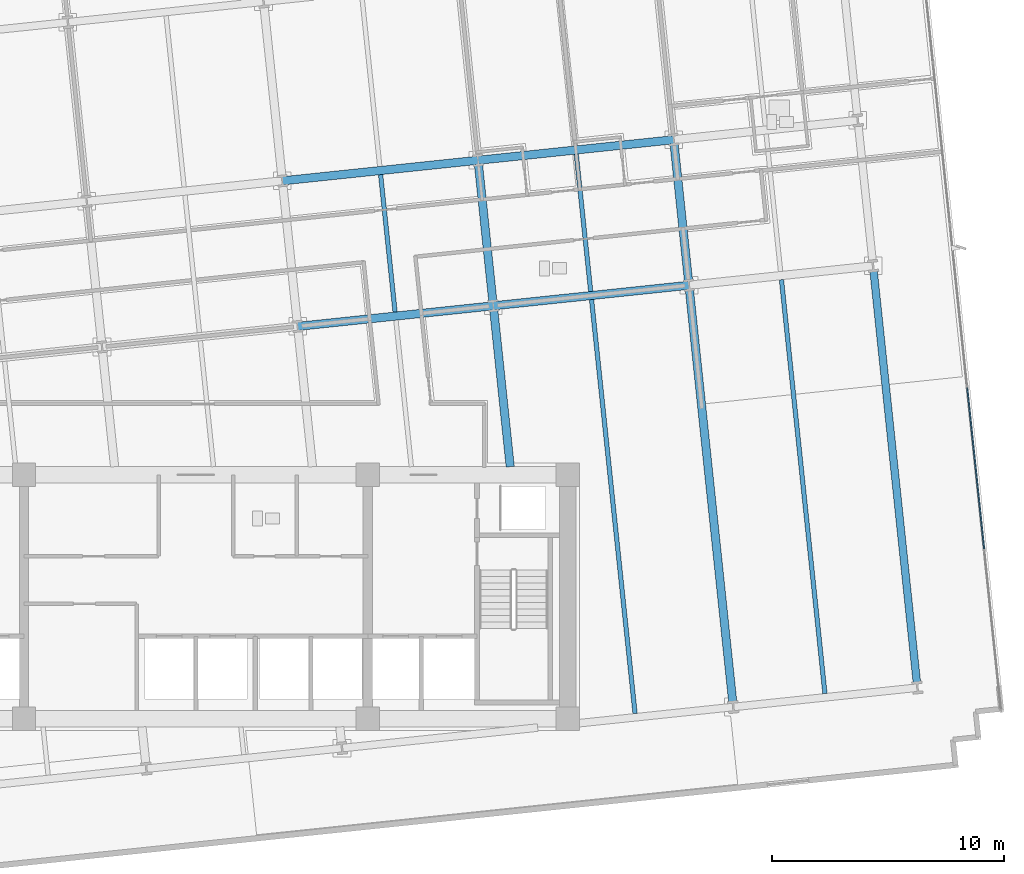
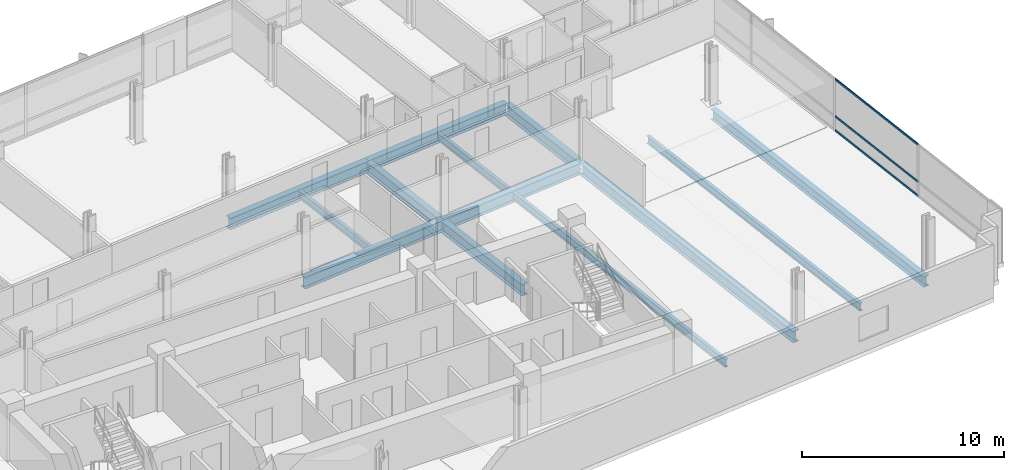
# One storey, part 7 of 20: 13 beams, 3 members, 1 element without a shape of its own.
"""IFC4 building model written with IfcOpenShell, lengths in metres."""

from ifc_helpers import new_model, si_unit, direction, frame, origin, origin_2d, place, context, subcontext, project, spatial, rectangle, i_section, extrude, material, material_profile, profile_set, type_object, element, aggregate, save


model = new_model("IFC4")

# Units and contexts
model_context = context("Model", 3, precision=1e-05, world=origin(), true_north=direction((0.0, 1.0)))
body_context = subcontext(model_context, "Body", "Model", "MODEL_VIEW")
ifc_project = project(units=[si_unit("LENGTHUNIT", "METRE"), si_unit("AREAUNIT", "SQUARE_METRE"), si_unit("VOLUMEUNIT", "CUBIC_METRE"), si_unit("PLANEANGLEUNIT", "RADIAN"), si_unit("MASSUNIT", "GRAM", prefix="KILO")], contexts=[model_context])

# Site, building, storey
site_placement = place(None, origin())
site = spatial("IfcSite", under=ifc_project, at=site_placement, CompositionType="ELEMENT")
building_placement = place(site_placement, origin())
building = spatial("IfcBuilding", under=site, at=building_placement, Name="Solmavex Isthmus Hotel", CompositionType="ELEMENT")
storey_placement = place(building_placement, frame((0.0, 0.0, 109.800048828125)))
storey = spatial("IfcBuildingStorey", under=building, at=storey_placement, Name="L29", CompositionType="ELEMENT", Elevation=109.800048828125)

# Beams
ifc_material_1 = material(Name="Steel ASTM A992 Grade 50", Category="steel")
ifc_material_profile_1 = material_profile(ifc_material_1, i_section(OverallWidth=0.354736328125, OverallDepth=0.695556640625, WebThickness=0.015380859375, FlangeThickness=0.02490234375, FilletRadius=0.017822265625, at=origin_2d()), Name="W27X146")
ifc_profile_set_1 = profile_set([ifc_material_profile_1], Name="Steel ASTM A992 Grade 50")
beam_type_1 = type_object("IfcBeamType", Name="BM-BG-W27X146", PredefinedType="BEAM", material=ifc_profile_set_1)
for number, where, z_axis, x_axis, name in (
    (1, (4.38037109375, 3.888427734375, -0.60791015625), (0.994521085209, 0.104536171134, 0.0), (-0.104536171134, 0.994521085209, 0.0), "Floor Girder L29-UG10"),
    (2, (12.800048828125, 4.7734375, -0.60791015625), (0.994521085209, 0.104536171134, 0.0), (-0.104536171134, 0.994521085209, 0.0), "Floor Girder L29-UG11"),
    (3, (3.72216796875, 10.152099609375, -0.60791015625), (0.994524082861, 0.104507648572, 0.0), (-0.104507648572, 0.994524082861, 0.0), "Floor Girder L29-UG16"),
    (4, (12.141845703125, 11.036865234375, -0.60791015625), (0.994521085209, 0.104536171134, 0.0), (-0.104536171134, 0.994521085209, 0.0), "Floor Girder L29-UG17"),
):
    element("IfcBeam", number, at=place(storey_placement, frame(where, z_axis=z_axis, x_axis=x_axis)), inside=storey, type_object=beam_type_1, Name=name, PredefinedType="BEAM", context=body_context, shape_type="SweptSolid", body=[
        extrude(i_section(OverallWidth=0.354736328125, OverallDepth=0.695556640625, WebThickness=0.015380859375, FlangeThickness=0.02490234375, FilletRadius=0.017822265625, at=origin_2d()), origin(), (0.0, 0.0, 1.0), 8.466064453125),
    ])
beam_1_placement = place(storey_placement, frame((13.52783203125, -2.14990234375, -0.60791015625), z_axis=(-0.104544283528, 0.994520232465, 0.0), x_axis=(-0.994520232465, -0.104544283528, 0.0)))
element("IfcBeam", 5, at=beam_1_placement, inside=storey, type_object=beam_type_1, Name="Floor Beam L29-VG40", PredefinedType="BEAM", context=body_context, shape_type="SweptSolid", body=[
    extrude(i_section(OverallWidth=0.354736328125, OverallDepth=0.695556640625, WebThickness=0.015380859375, FlangeThickness=0.02490234375, FilletRadius=0.017822265625, at=origin_2d()), origin(), (0.0, 0.0, 1.0), 6.783935546875),
])
beam_2_placement = place(storey_placement, frame((12.781494140625, 4.949951171875, -0.60791015625), z_axis=(-0.104505160346, 0.994524344328, 0.0), x_axis=(-0.994524344328, -0.104505160346, 0.0)))
element("IfcBeam", 6, at=beam_2_placement, inside=storey, type_object=beam_type_1, Name="Floor Beam L29-VG41", PredefinedType="BEAM", context=body_context, shape_type="SweptSolid", body=[
    extrude(i_section(OverallWidth=0.354736328125, OverallDepth=0.695556640625, WebThickness=0.015380859375, FlangeThickness=0.02490234375, FilletRadius=0.017822265625, at=origin_2d()), origin(), (0.0, 0.0, 1.0), 5.943115234375),
])
beam_3_placement = place(storey_placement, frame((23.1103515625, -12.329345703125, -0.60791015625), z_axis=(-0.104530088192, 0.99452172458, 0.0), x_axis=(-0.99452172458, -0.104530088192, 0.0)))
element("IfcBeam", 7, at=beam_3_placement, inside=storey, type_object=beam_type_1, Name="Floor Beam L29-VG43", PredefinedType="BEAM", context=body_context, shape_type="SweptSolid", body=[
    extrude(i_section(OverallWidth=0.354736328125, OverallDepth=0.695556640625, WebThickness=0.015380859375, FlangeThickness=0.02490234375, FilletRadius=0.017822265625, at=origin_2d()), origin(), (0.0, 0.0, 1.0), 17.909423828125),
])
beam_4_placement = place(storey_placement, frame((21.201171875, 5.834716796875, -0.60791015625), z_axis=(-0.104505160346, 0.994524344328, 0.0), x_axis=(-0.994524344328, -0.104505160346, 0.0)))
element("IfcBeam", 8, at=beam_4_placement, inside=storey, type_object=beam_type_1, Name="Floor Beam L29-VG44", PredefinedType="BEAM", context=body_context, shape_type="SweptSolid", body=[
    extrude(i_section(OverallWidth=0.354736328125, OverallDepth=0.695556640625, WebThickness=0.015380859375, FlangeThickness=0.02490234375, FilletRadius=0.017822265625, at=origin_2d()), origin(), (0.0, 0.0, 1.0), 5.943115234375),
])
ifc_material_profile_2 = material_profile(ifc_material_1, i_section(OverallWidth=0.1904296875, OverallDepth=0.456787109375, WebThickness=0.009033203125, FlangeThickness=0.014404296875, FilletRadius=0.0126953125, at=origin_2d()), Name="W18X50")
ifc_profile_set_2 = profile_set([ifc_material_profile_2], Name="Steel ASTM A992 Grade 50")
beam_type_2 = type_object("IfcBeamType", Name="BM-BJ-W18X50", PredefinedType="JOIST", material=ifc_profile_set_2)
beam_5_placement = place(storey_placement, frame((8.57177734375, 4.50732421875, -0.488525390625), z_axis=(-0.104545790518, 0.994520074048, 0.0), x_axis=(-0.994520074048, -0.104545790518, 0.0)))
element("IfcBeam", 9, at=beam_5_placement, inside=storey, type_object=beam_type_2, Name="Secondary Floor Joist L29-J14", PredefinedType="JOIST", context=body_context, shape_type="SweptSolid", body=[
    extrude(i_section(OverallWidth=0.1904296875, OverallDepth=0.456787109375, WebThickness=0.009033203125, FlangeThickness=0.014404296875, FilletRadius=0.0126953125, at=origin_2d()), origin(), (0.0, 0.0, 1.0), 5.943115234375),
])
beam_6_placement = place(storey_placement, frame((18.900390625, -12.771728515625, -0.488525390625), z_axis=(-0.104516605126, 0.994523141638, 0.0), x_axis=(-0.994523141638, -0.104516605126, 0.0)))
element("IfcBeam", 10, at=beam_6_placement, inside=storey, type_object=beam_type_2, Name="Secondary Floor Joist L29-J16", PredefinedType="JOIST", context=body_context, shape_type="SweptSolid", body=[
    extrude(i_section(OverallWidth=0.1904296875, OverallDepth=0.456787109375, WebThickness=0.009033203125, FlangeThickness=0.014404296875, FilletRadius=0.0126953125, at=origin_2d()), origin(), (0.0, 0.0, 1.0), 17.909423828125),
])
beam_7_placement = place(storey_placement, frame((16.991455078125, 5.392333984375, -0.488525390625), z_axis=(-0.104545790518, 0.994520074048, 0.0), x_axis=(-0.994520074048, -0.104545790518, 0.0)))
element("IfcBeam", 11, at=beam_7_placement, inside=storey, type_object=beam_type_2, Name="Secondary Floor Joist L29-J17", PredefinedType="JOIST", context=body_context, shape_type="SweptSolid", body=[
    extrude(i_section(OverallWidth=0.1904296875, OverallDepth=0.456787109375, WebThickness=0.009033203125, FlangeThickness=0.014404296875, FilletRadius=0.0126953125, at=origin_2d()), origin(), (0.0, 0.0, 1.0), 5.943115234375),
])
beam_8_placement = place(storey_placement, frame((27.072509765625, -11.912841796875, -0.488525390625), z_axis=(-0.104530088192, 0.99452172458, 0.0), x_axis=(-0.99452172458, -0.104530088192, 0.0)))
element("IfcBeam", 12, at=beam_8_placement, inside=storey, type_object=beam_type_2, Name="Secondary Floor Joist L29-J19", PredefinedType="JOIST", context=body_context, shape_type="SweptSolid", body=[
    extrude(i_section(OverallWidth=0.1904296875, OverallDepth=0.456787109375, WebThickness=0.009033203125, FlangeThickness=0.014404296875, FilletRadius=0.0126953125, at=origin_2d()), origin(), (0.0, 0.0, 1.0), 17.909423828125),
])
ifc_material_profile_3 = material_profile(ifc_material_1, i_section(OverallWidth=0.326416015625, OverallDepth=0.621826171875, WebThickness=0.015380859375, FlangeThickness=0.0244140625, FilletRadius=0.01513671875, at=origin_2d()), Name="W24X131")
ifc_profile_set_3 = profile_set([ifc_material_profile_3], Name="Steel ASTM A992 Grade 50")
beam_type_3 = type_object("IfcBeamType", Name="BM-SP-W24X131", PredefinedType="SPANDREL", material=ifc_profile_set_3)
beam_9_placement = place(storey_placement, frame((31.03466796875, -11.496337890625, -0.571044921875), z_axis=(-0.104530088192, 0.99452172458, 0.0), x_axis=(-0.99452172458, -0.104530088192, 0.0)))
element("IfcBeam", 13, at=beam_9_placement, inside=storey, type_object=beam_type_3, Name="Floor Beam L29-VG46", PredefinedType="SPANDREL", context=body_context, shape_type="SweptSolid", body=[
    extrude(i_section(OverallWidth=0.326416015625, OverallDepth=0.621826171875, WebThickness=0.015380859375, FlangeThickness=0.0244140625, FilletRadius=0.01513671875, at=origin_2d()), origin(), (0.0, 0.0, 1.0), 17.909423828125),
])

# Curtain wall, members
ifc_material_2 = material(Name="Aluminium alloy 6063-T6", Category="aluminium")
curtain_wall_type = type_object("IfcCurtainWallType", Name="CW-SYS-06", PredefinedType="NOTDEFINED", material=ifc_material_2)
curtain_wall_placement = place(storey_placement, origin())
curtain_wall = element("IfcCurtainWall", 14, at=curtain_wall_placement, inside=storey, type_object=curtain_wall_type, Name="Stick Curtain Wall CWL-L29-E1", PredefinedType="NOTDEFINED")
ifc_material_profile_4 = material_profile(ifc_material_2, rectangle(XDim=0.06005859375, YDim=0.114990234375, at=origin_2d()), Name="CWT-60X115")
ifc_profile_set_4 = profile_set([ifc_material_profile_4], Name="Aluminium alloy 6063-T6")
member_type = type_object("IfcMemberType", Name="CW-SYS-06-TRN", PredefinedType="USERDEFINED", material=ifc_profile_set_4)
member_1_placement = place(storey_placement, frame((33.922119140625, -5.676025390625, 0.057373046875), z_axis=(-0.104531402636, 0.994521586424, 0.0), x_axis=(-0.994521586424, -0.104531402636, 0.0)))
member_1 = element("IfcMember", 15, at=member_1_placement, type_object=member_type, Name="CW-06 transom 2.1", ObjectType="TRANSOM", PredefinedType="USERDEFINED", context=body_context, shape_type="SweptSolid", body=[
    extrude(rectangle(XDim=0.06005859375, YDim=0.114990234375, at=origin_2d()), origin(), (0.0, 0.0, 1.0), 6.9599609375),
])
member_2_placement = place(storey_placement, frame((33.922119140625, -5.676025390625, 0.89990234375), z_axis=(-0.104531402636, 0.994521586424, 0.0), x_axis=(-0.994521586424, -0.104531402636, 0.0)))
member_2 = element("IfcMember", 16, at=member_2_placement, type_object=member_type, Name="CW-06 transom 2.2", ObjectType="TRANSOM", PredefinedType="USERDEFINED", context=body_context, shape_type="SweptSolid", body=[
    extrude(rectangle(XDim=0.06005859375, YDim=0.114990234375, at=origin_2d()), origin(), (0.0, 0.0, 1.0), 6.9599609375),
])
member_3_placement = place(storey_placement, frame((33.922119140625, -5.676025390625, 3.132568359375), z_axis=(-0.104531402636, 0.994521586424, 0.0), x_axis=(-0.994521586424, -0.104531402636, 0.0)))
member_3 = element("IfcMember", 17, at=member_3_placement, type_object=member_type, Name="CW-06 transom 2.3", ObjectType="TRANSOM", PredefinedType="USERDEFINED", context=body_context, shape_type="SweptSolid", body=[
    extrude(rectangle(XDim=0.06005859375, YDim=0.114990234375, at=origin_2d()), origin(), (0.0, 0.0, 1.0), 6.9599609375),
])
aggregate(curtain_wall, [member_1, member_2, member_3])

save(model, "model.ifc")
